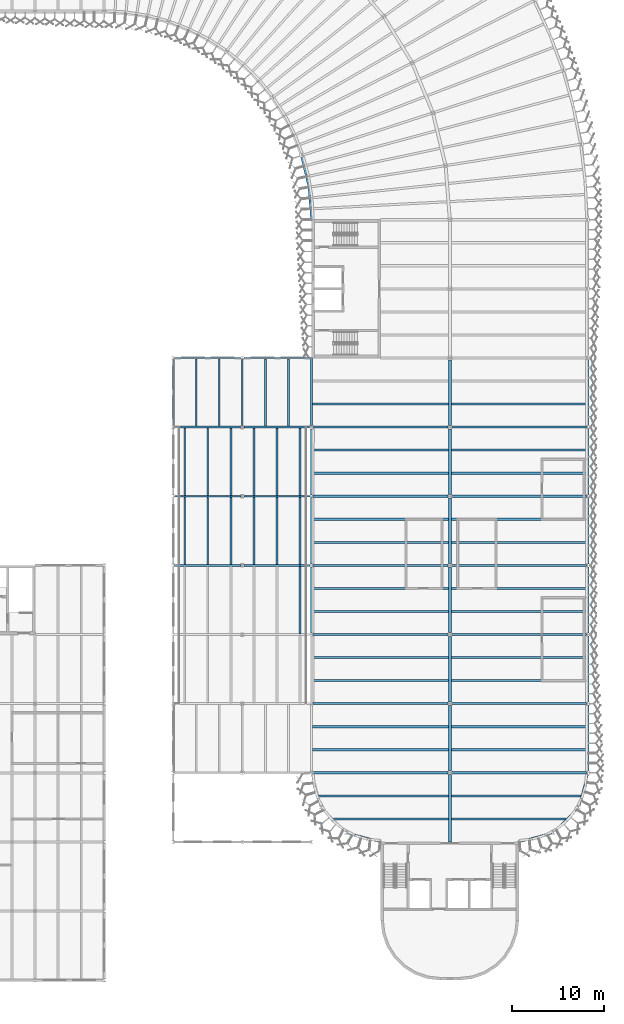
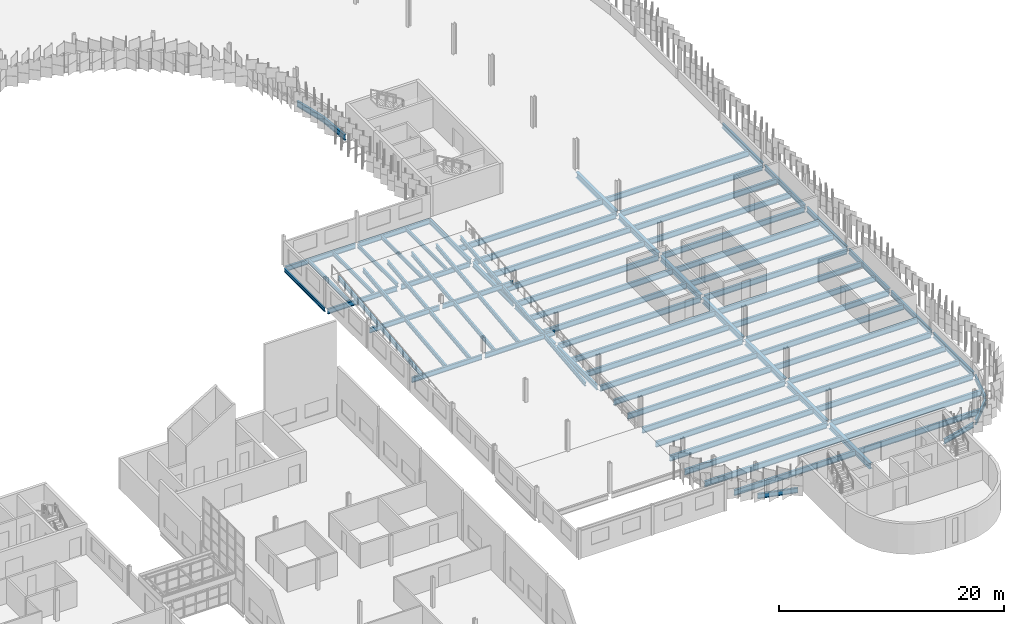
# One storey, part 36 of 198: 88 beams.
"""IFC4 building model written with IfcOpenShell, lengths in metres."""

from ifc_helpers import new_model, si_unit, direction, frame, origin, origin_2d, place, context, subcontext, project, spatial, i_section, extrude, material, material_profile, profile_set, type_object, element, save


model = new_model("IFC4")

# Units and contexts
model_context = context("Model", 3, precision=1e-05, world=origin(), true_north=direction((0.0, 1.0)))
body_context = subcontext(model_context, "Body", "Model", "MODEL_VIEW")
ifc_project = project(units=[si_unit("LENGTHUNIT", "METRE"), si_unit("AREAUNIT", "SQUARE_METRE"), si_unit("VOLUMEUNIT", "CUBIC_METRE"), si_unit("PLANEANGLEUNIT", "RADIAN"), si_unit("MASSUNIT", "GRAM", prefix="KILO")], contexts=[model_context])

# Site, building, storey
site_placement = place(None, origin())
site = spatial("IfcSite", under=ifc_project, at=site_placement, CompositionType="ELEMENT")
building_placement = place(site_placement, origin())
building = spatial("IfcBuilding", under=site, at=building_placement, Name="Parallax Yard Mobility Hub", CompositionType="ELEMENT")
storey_placement = place(building_placement, frame((0.0, 0.0, 6.60009765625)))
storey = spatial("IfcBuildingStorey", under=building, at=storey_placement, Name="L02", CompositionType="ELEMENT", Elevation=6.60009765625)

# Beams
ifc_material = material(Name="Steel ASTM A992", Category="steel")
ifc_material_profile_1 = material_profile(ifc_material, i_section(OverallWidth=0.177978515625, OverallDepth=0.406005859375, WebThickness=0.0078125, FlangeThickness=0.0126953125, FilletRadius=0.01025390625, at=origin_2d()), Name="W410x60")
ifc_profile_set_1 = profile_set([ifc_material_profile_1], Name="Steel ASTM A992")
beam_type_1 = type_object("IfcBeamType", Name="W410x60 edge beam", PredefinedType="SPANDREL", material=ifc_profile_set_1)
beam_1_placement = place(storey_placement, frame((180.0, 67.653564453125, -0.343017578125), z_axis=(0.0, 1.0, 0.0), x_axis=(-1.0, 0.0, 0.0)))
element("IfcBeam", 1, at=beam_1_placement, inside=storey, type_object=beam_type_1, Name="Edge beam SB1 level L02, line 25 of ramp house, span 2", PredefinedType="SPANDREL", context=body_context, shape_type="SweptSolid", body=[
    extrude(i_section(OverallWidth=0.177978515625, OverallDepth=0.406005859375, WebThickness=0.0078125, FlangeThickness=0.0126953125, FilletRadius=0.01025390625, at=origin_2d()), origin(), (0.0, 0.0, 1.0), 7.19287109375),
])
ifc_material_profile_2 = material_profile(ifc_material, i_section(OverallWidth=0.177978515625, OverallDepth=0.406005859375, WebThickness=0.0078125, FlangeThickness=0.0126953125, FilletRadius=0.01025390625, at=origin_2d()), Name="W410x60")
ifc_profile_set_2 = profile_set([ifc_material_profile_2], Name="Steel ASTM A992")
beam_type_2 = type_object("IfcBeamType", Name="W410x60 longitudinal beam", PredefinedType="BEAM", material=ifc_profile_set_2)
beam_2_placement = place(storey_placement, frame((187.5, 67.6865234375, -0.343017578125), z_axis=(0.0, 1.0, 0.0), x_axis=(-1.0, 0.0, 0.0)))
element("IfcBeam", 2, at=beam_2_placement, inside=storey, type_object=beam_type_2, Name="Longitudinal beam SB2 level L02, line 26 of ramp house, span 2", PredefinedType="BEAM", context=body_context, shape_type="SweptSolid", body=[
    extrude(i_section(OverallWidth=0.177978515625, OverallDepth=0.406005859375, WebThickness=0.0078125, FlangeThickness=0.0126953125, FilletRadius=0.01025390625, at=origin_2d()), origin(), (0.0, 0.0, 1.0), 7.159912109375),
])
ifc_material_profile_3 = material_profile(ifc_material, i_section(OverallWidth=0.177978515625, OverallDepth=0.406005859375, WebThickness=0.0078125, FlangeThickness=0.0126953125, FilletRadius=0.01025390625, at=origin_2d()), Name="W410x60")
ifc_profile_set_3 = profile_set([ifc_material_profile_3], Name="Steel ASTM A992")
beam_type_3 = type_object("IfcBeamType", Name="W410x60 secondary beam", PredefinedType="JOIST", material=ifc_profile_set_3)
for number, where, z_axis, x_axis, name in (
    (3, (182.5, 67.6044921875, -0.343017578125), (0.0, 1.0, 0.0), (-1.0, 0.0, 0.0), "Secondary beam B1 level L02, 2.5 m east of line 25 of ramp house, span 2"),
    (4, (190.0, 67.6044921875, -0.343017578125), (0.0, 1.0, 0.0), (-1.0, 0.0, 0.0), "Secondary beam B1 level L02, 2.5 m east of line 26 of ramp house, span 2"),
    (5, (185.0, 67.6044921875, -0.343017578125), (0.0, 1.0, 0.0), (-1.0, 0.0, 0.0), "Secondary beam B1 level L02, 5 m east of line 25 of ramp house, span 2"),
    (6, (192.5, 67.6044921875, -0.343017578125), (0.0, 1.0, 0.0), (-1.0, 0.0, 0.0), "Secondary beam B1 level L02, 5 m east of line 26 of ramp house, span 2"),
):
    element("IfcBeam", number, at=place(storey_placement, frame(where, z_axis=z_axis, x_axis=x_axis)), inside=storey, type_object=beam_type_3, Name=name, PredefinedType="JOIST", context=body_context, shape_type="SweptSolid", body=[
        extrude(i_section(OverallWidth=0.177978515625, OverallDepth=0.406005859375, WebThickness=0.0078125, FlangeThickness=0.0126953125, FilletRadius=0.01025390625, at=origin_2d()), origin(), (0.0, 0.0, 1.0), 7.291015625),
    ])
ifc_material_profile_4 = material_profile(ifc_material, i_section(OverallWidth=0.19091796875, OverallDepth=0.45703125, WebThickness=0.009033203125, FlangeThickness=0.014404296875, FilletRadius=0.01025390625, at=origin_2d()), Name="W460x74")
ifc_profile_set_4 = profile_set([ifc_material_profile_4], Name="Steel ASTM A992")
beam_type_4 = type_object("IfcBeamType", Name="W460x74 ramp beam", PredefinedType="JOIST", material=ifc_profile_set_4)
for number, where, z_axis, x_axis, name in (
    (7, (181.25, 52.6044921875, 1.2314453125), (0.0, 0.994004500635, 0.109339163695), (-1.0, 0.0, 0.0), "Ramp beam RJ1 level L02, ramp RP3 of ramp house, span 3"),
    (8, (181.25, 60.1044921875, 2.056396484375), (0.0, 0.994004500635, 0.109339163695), (-1.0, 0.0, 0.0), "Ramp beam RJ1 level L02, ramp RP3 of ramp house, span 4"),
    (9, (183.75, 52.6044921875, 1.2314453125), (0.0, 0.994004500635, 0.109339163695), (-1.0, 0.0, 0.0), "Ramp beam RJ1 level L02, ramp RP3 of ramp house, span 7"),
    (10, (183.75, 60.1044921875, 2.056396484375), (0.0, 0.994004500635, 0.109339163695), (-1.0, 0.0, 0.0), "Ramp beam RJ1 level L02, ramp RP3 of ramp house, span 8"),
    (11, (186.25, 52.6044921875, 1.2314453125), (0.0, 0.994004500635, 0.109339163695), (-1.0, 0.0, 0.0), "Ramp beam RJ1 level L02, ramp RP3 of ramp house, span 11"),
    (12, (186.25, 60.1044921875, 2.056396484375), (0.0, 0.994004500635, 0.109339163695), (-1.0, 0.0, 0.0), "Ramp beam RJ1 level L02, ramp RP3 of ramp house, span 12"),
    (13, (188.75, 52.6044921875, 1.2314453125), (0.0, 0.994004500635, 0.109339163695), (-1.0, 0.0, 0.0), "Ramp beam RJ1 level L02, ramp RP3 of ramp house, span 15"),
    (14, (188.75, 60.1044921875, 2.056396484375), (0.0, 0.994004500635, 0.109339163695), (-1.0, 0.0, 0.0), "Ramp beam RJ1 level L02, ramp RP3 of ramp house, span 16"),
    (15, (191.25, 52.6044921875, 1.2314453125), (0.0, 0.994004500635, 0.109339163695), (-1.0, 0.0, 0.0), "Ramp beam RJ1 level L02, ramp RP3 of ramp house, span 19"),
    (16, (191.25, 60.1044921875, 2.056396484375), (0.0, 0.994004500635, 0.109339163695), (-1.0, 0.0, 0.0), "Ramp beam RJ1 level L02, ramp RP3 of ramp house, span 20"),
    (17, (193.75, 45.1044921875, 0.406494140625), (0.0, 0.994004500635, 0.109339163695), (-1.0, 0.0, 0.0), "Ramp beam RJ1 level L02, ramp RP3 of ramp house, span 22"),
    (18, (193.75, 52.6044921875, 1.2314453125), (0.0, 0.994004500635, 0.109339163695), (-1.0, 0.0, 0.0), "Ramp beam RJ1 level L02, ramp RP3 of ramp house, span 23"),
    (19, (193.75, 60.1044921875, 2.056396484375), (0.0, 0.994004500635, 0.109339163695), (-1.0, 0.0, 0.0), "Ramp beam RJ1 level L02, ramp RP3 of ramp house, span 24"),
):
    element("IfcBeam", number, at=place(storey_placement, frame(where, z_axis=z_axis, x_axis=x_axis)), inside=storey, type_object=beam_type_4, Name=name, PredefinedType="JOIST", context=body_context, shape_type="SweptSolid", body=[
        extrude(i_section(OverallWidth=0.19091796875, OverallDepth=0.45703125, WebThickness=0.009033203125, FlangeThickness=0.014404296875, FilletRadius=0.01025390625, at=origin_2d()), origin(), (0.0, 0.0, 1.0), 7.3349609375),
    ])
ifc_material_profile_5 = material_profile(ifc_material, i_section(OverallWidth=0.208984375, OverallDepth=0.532958984375, WebThickness=0.01025390625, FlangeThickness=0.015625, FilletRadius=0.0126953125, at=origin_2d()), Name="W530x92")
ifc_profile_set_5 = profile_set([ifc_material_profile_5], Name="Steel ASTM A992")
beam_type_5 = type_object("IfcBeamType", Name="W530x92 edge beam", PredefinedType="SPANDREL", material=ifc_profile_set_5)
for number, where, z_axis, x_axis, name in (
    (20, (195.0, 45.152587890625, -0.406494140625), (0.0, 1.0, 0.0), (-1.0, 0.0, 0.0), "Edge beam SB5 level L02, line 27 of ramped parking decks, span 3"),
    (21, (195.0, 52.652587890625, -0.406494140625), (0.0, 1.0, 0.0), (-1.0, 0.0, 0.0), "Edge beam SB5 level L02, line 27 of ramped parking decks, span 4"),
):
    element("IfcBeam", number, at=place(storey_placement, frame(where, z_axis=z_axis, x_axis=x_axis)), inside=storey, type_object=beam_type_5, Name=name, PredefinedType="SPANDREL", context=body_context, shape_type="SweptSolid", body=[
        extrude(i_section(OverallWidth=0.208984375, OverallDepth=0.532958984375, WebThickness=0.01025390625, FlangeThickness=0.015625, FilletRadius=0.0126953125, at=origin_2d()), origin(), (0.0, 0.0, 1.0), 7.19482421875),
    ])
beam_3_placement = place(storey_placement, frame((195.0, 60.152587890625, -0.406494140625), z_axis=(0.0, 1.0, 0.0), x_axis=(-1.0, 0.0, 0.0)))
element("IfcBeam", 22, at=beam_3_placement, inside=storey, type_object=beam_type_5, Name="Edge beam SB5 level L02, line 27 of ramped parking decks, span 5", PredefinedType="SPANDREL", context=body_context, shape_type="SweptSolid", body=[
    extrude(i_section(OverallWidth=0.208984375, OverallDepth=0.532958984375, WebThickness=0.01025390625, FlangeThickness=0.015625, FilletRadius=0.0126953125, at=origin_2d()), origin(), (0.0, 0.0, 1.0), 7.160888671875),
])
beam_4_placement = place(storey_placement, frame((195.0, 67.6865234375, -0.406494140625), z_axis=(0.0, 1.0, 0.0), x_axis=(-1.0, 0.0, 0.0)))
element("IfcBeam", 23, at=beam_4_placement, inside=storey, type_object=beam_type_5, Name="Edge beam SB5 level L02, line 27 of ramped parking decks, span 6", PredefinedType="SPANDREL", context=body_context, shape_type="SweptSolid", body=[
    extrude(i_section(OverallWidth=0.208984375, OverallDepth=0.532958984375, WebThickness=0.01025390625, FlangeThickness=0.015625, FilletRadius=0.0126953125, at=origin_2d()), origin(), (0.0, 0.0, 1.0), 7.3134765625),
])
beam_5_placement = place(storey_placement, frame((225.0, 30.18408203125, -0.406494140625), z_axis=(0.0, 1.0, 0.0), x_axis=(-1.0, 0.0, 0.0)))
element("IfcBeam", 24, at=beam_5_placement, inside=storey, type_object=beam_type_5, Name="Edge beam SB5 level L02, line 31 of ramped parking decks, span 1", PredefinedType="SPANDREL", context=body_context, shape_type="SweptSolid", body=[
    extrude(i_section(OverallWidth=0.208984375, OverallDepth=0.532958984375, WebThickness=0.01025390625, FlangeThickness=0.015625, FilletRadius=0.0126953125, at=origin_2d()), origin(), (0.0, 0.0, 1.0), 7.163330078125),
])
for number, where, z_axis, x_axis, name in (
    (25, (225.0, 37.652587890625, -0.406494140625), (0.0, 1.0, 0.0), (-1.0, 0.0, 0.0), "Edge beam SB5 level L02, line 31 of ramped parking decks, span 2"),
    (26, (225.0, 45.152587890625, -0.406494140625), (0.0, 1.0, 0.0), (-1.0, 0.0, 0.0), "Edge beam SB5 level L02, line 31 of ramped parking decks, span 3"),
    (27, (225.0, 52.652587890625, -0.406494140625), (0.0, 1.0, 0.0), (-1.0, 0.0, 0.0), "Edge beam SB5 level L02, line 31 of ramped parking decks, span 4"),
    (28, (225.0, 60.152587890625, -0.406494140625), (0.0, 1.0, 0.0), (-1.0, 0.0, 0.0), "Edge beam SB5 level L02, line 31 of ramped parking decks, span 5"),
    (29, (225.0, 67.652587890625, -0.406494140625), (0.0, 1.0, 0.0), (-1.0, 0.0, 0.0), "Edge beam SB5 level L02, line 31 of ramped parking decks, span 6"),
):
    element("IfcBeam", number, at=place(storey_placement, frame(where, z_axis=z_axis, x_axis=x_axis)), inside=storey, type_object=beam_type_5, Name=name, PredefinedType="SPANDREL", context=body_context, shape_type="SweptSolid", body=[
        extrude(i_section(OverallWidth=0.208984375, OverallDepth=0.532958984375, WebThickness=0.01025390625, FlangeThickness=0.015625, FilletRadius=0.0126953125, at=origin_2d()), origin(), (0.0, 0.0, 1.0), 7.19482421875),
    ])
for number, where, z_axis, x_axis, name in (
    (30, (198.902587890625, 23.4638671875, -0.406494140625), (0.965929617639, -0.258804895177, 0.0), (0.258804895177, 0.965929617639, 0.0), "Edge beam SB5 level L02, the south end of ramped parking decks, span 3"),
    (31, (217.5, 22.5, -0.406494140625), (0.965929617639, 0.258804895177, 0.0), (-0.258804895177, 0.965929617639, 0.0), "Edge beam SB5 level L02, the south end of ramped parking decks, span 4"),
):
    element("IfcBeam", number, at=place(storey_placement, frame(where, z_axis=z_axis, x_axis=x_axis)), inside=storey, type_object=beam_type_5, Name=name, PredefinedType="SPANDREL", context=body_context, shape_type="SweptSolid", body=[
        extrude(i_section(OverallWidth=0.208984375, OverallDepth=0.532958984375, WebThickness=0.01025390625, FlangeThickness=0.015625, FilletRadius=0.0126953125, at=origin_2d()), origin(), (0.0, 0.0, 1.0), 3.724365234375),
    ])
beam_6_placement = place(storey_placement, frame((221.402587890625, 23.6572265625, -0.406494140625), z_axis=(0.707106781187, 0.707106781187, 0.0), x_axis=(-0.707106781187, 0.707106781187, 0.0)))
element("IfcBeam", 32, at=beam_6_placement, inside=storey, type_object=beam_type_5, Name="Edge beam SB5 level L02, the south end of ramped parking decks, span 5", PredefinedType="SPANDREL", context=body_context, shape_type="SweptSolid", body=[
    extrude(i_section(OverallWidth=0.208984375, OverallDepth=0.532958984375, WebThickness=0.01025390625, FlangeThickness=0.015625, FilletRadius=0.0126953125, at=origin_2d()), origin(), (0.0, 0.0, 1.0), 3.450927734375),
])
beam_7_placement = place(storey_placement, frame((224.036376953125, 26.403564453125, -0.406494140625), z_axis=(0.258810929597, 0.965928000796, 0.0), x_axis=(-0.965928000796, 0.258810929597, 0.0)))
element("IfcBeam", 33, at=beam_7_placement, inside=storey, type_object=beam_type_5, Name="Edge beam SB5 level L02, the south end of ramped parking decks, span 6", PredefinedType="SPANDREL", context=body_context, shape_type="SweptSolid", body=[
    extrude(i_section(OverallWidth=0.208984375, OverallDepth=0.532958984375, WebThickness=0.01025390625, FlangeThickness=0.015625, FilletRadius=0.0126953125, at=origin_2d()), origin(), (0.0, 0.0, 1.0), 3.53271484375),
])
ifc_material_profile_6 = material_profile(ifc_material, i_section(OverallWidth=0.208984375, OverallDepth=0.532958984375, WebThickness=0.01025390625, FlangeThickness=0.015625, FilletRadius=0.0126953125, at=origin_2d()), Name="W530x92")
ifc_profile_set_6 = profile_set([ifc_material_profile_6], Name="Steel ASTM A992")
beam_type_6 = type_object("IfcBeamType", Name="W530x92 girder", PredefinedType="BEAM", material=ifc_profile_set_6)
beam_8_placement = place(storey_placement, frame((180.152587890625, 52.5, 1.171875), z_axis=(1.0, 0.0, 0.0), x_axis=(0.0, 1.0, 0.0)))
element("IfcBeam", 34, at=beam_8_placement, inside=storey, type_object=beam_type_6, Name="Girder G2 level L02, line H of ramp house, span 1", PredefinedType="BEAM", context=body_context, shape_type="SweptSolid", body=[
    extrude(i_section(OverallWidth=0.208984375, OverallDepth=0.532958984375, WebThickness=0.01025390625, FlangeThickness=0.015625, FilletRadius=0.0126953125, at=origin_2d()), origin(), (0.0, 0.0, 1.0), 7.1923828125),
])
beam_9_placement = place(storey_placement, frame((187.655029296875, 52.5, 1.171875), z_axis=(1.0, 0.0, 0.0), x_axis=(0.0, 1.0, 0.0)))
element("IfcBeam", 35, at=beam_9_placement, inside=storey, type_object=beam_type_6, Name="Girder G2 level L02, line H of ramp house, span 2", PredefinedType="BEAM", context=body_context, shape_type="SweptSolid", body=[
    extrude(i_section(OverallWidth=0.208984375, OverallDepth=0.532958984375, WebThickness=0.01025390625, FlangeThickness=0.015625, FilletRadius=0.0126953125, at=origin_2d()), origin(), (0.0, 0.0, 1.0), 7.19140625),
])
beam_10_placement = place(storey_placement, frame((180.152587890625, 60.0, 1.996826171875), z_axis=(1.0, 0.0, 0.0), x_axis=(0.0, 1.0, 0.0)))
element("IfcBeam", 36, at=beam_10_placement, inside=storey, type_object=beam_type_6, Name="Girder G2 level L02, line J of ramp house, span 1", PredefinedType="BEAM", context=body_context, shape_type="SweptSolid", body=[
    extrude(i_section(OverallWidth=0.208984375, OverallDepth=0.532958984375, WebThickness=0.01025390625, FlangeThickness=0.015625, FilletRadius=0.0126953125, at=origin_2d()), origin(), (0.0, 0.0, 1.0), 7.1923828125),
])
beam_11_placement = place(storey_placement, frame((187.655029296875, 60.0, 1.996826171875), z_axis=(1.0, 0.0, 0.0), x_axis=(0.0, 1.0, 0.0)))
element("IfcBeam", 37, at=beam_11_placement, inside=storey, type_object=beam_type_6, Name="Girder G2 level L02, line J of ramp house, span 2", PredefinedType="BEAM", context=body_context, shape_type="SweptSolid", body=[
    extrude(i_section(OverallWidth=0.208984375, OverallDepth=0.532958984375, WebThickness=0.01025390625, FlangeThickness=0.015625, FilletRadius=0.0126953125, at=origin_2d()), origin(), (0.0, 0.0, 1.0), 7.19140625),
])
beam_12_placement = place(storey_placement, frame((180.152587890625, 67.5, -0.47802734375), z_axis=(1.0, 0.0, 0.0), x_axis=(0.0, 1.0, 0.0)))
element("IfcBeam", 38, at=beam_12_placement, inside=storey, type_object=beam_type_6, Name="Girder G2 level L02, line K of ramp house, span 1", PredefinedType="BEAM", context=body_context, shape_type="SweptSolid", body=[
    extrude(i_section(OverallWidth=0.208984375, OverallDepth=0.532958984375, WebThickness=0.01025390625, FlangeThickness=0.015625, FilletRadius=0.0126953125, at=origin_2d()), origin(), (0.0, 0.0, 1.0), 7.160888671875),
])
beam_13_placement = place(storey_placement, frame((187.6865234375, 67.5, -0.47802734375), z_axis=(1.0, 0.0, 0.0), x_axis=(0.0, 1.0, 0.0)))
element("IfcBeam", 39, at=beam_13_placement, inside=storey, type_object=beam_type_6, Name="Girder G2 level L02, line K of ramp house, span 2", PredefinedType="BEAM", context=body_context, shape_type="SweptSolid", body=[
    extrude(i_section(OverallWidth=0.208984375, OverallDepth=0.532958984375, WebThickness=0.01025390625, FlangeThickness=0.015625, FilletRadius=0.0126953125, at=origin_2d()), origin(), (0.0, 0.0, 1.0), 7.126953125),
])
beam_14_placement = place(storey_placement, frame((180.152587890625, 75.0, -0.406494140625), z_axis=(1.0, 0.0, 0.0), x_axis=(0.0, 1.0, 0.0)))
element("IfcBeam", 40, at=beam_14_placement, inside=storey, type_object=beam_type_6, Name="Girder G2 level L02, line L of ramp house, span 1", PredefinedType="BEAM", context=body_context, shape_type="SweptSolid", body=[
    extrude(i_section(OverallWidth=0.208984375, OverallDepth=0.532958984375, WebThickness=0.01025390625, FlangeThickness=0.015625, FilletRadius=0.0126953125, at=origin_2d()), origin(), (0.0, 0.0, 1.0), 7.19482421875),
])
beam_15_placement = place(storey_placement, frame((187.652587890625, 75.0, -0.406494140625), z_axis=(1.0, 0.0, 0.0), x_axis=(0.0, 1.0, 0.0)))
element("IfcBeam", 41, at=beam_15_placement, inside=storey, type_object=beam_type_6, Name="Girder G2 level L02, line L of ramp house, span 2", PredefinedType="BEAM", context=body_context, shape_type="SweptSolid", body=[
    extrude(i_section(OverallWidth=0.208984375, OverallDepth=0.532958984375, WebThickness=0.01025390625, FlangeThickness=0.015625, FilletRadius=0.0126953125, at=origin_2d()), origin(), (0.0, 0.0, 1.0), 7.347412109375),
])
ifc_material_profile_7 = material_profile(ifc_material, i_section(OverallWidth=0.22802734375, OverallDepth=0.60205078125, WebThickness=0.010498046875, FlangeThickness=0.014892578125, FilletRadius=0.0126953125, at=origin_2d()), Name="W610x101")
ifc_profile_set_7 = profile_set([ifc_material_profile_7], Name="Steel ASTM A992")
beam_type_7 = type_object("IfcBeamType", Name="W610x101 secondary beam", PredefinedType="JOIST", material=ifc_profile_set_7)
for number, where, z_axis, x_axis, name in (
    (42, (197.402587890625, 25.0, -0.441162109375), (1.0, 0.0, 0.0), (0.0, 1.0, 0.0), "Secondary beam B3 level L02, 2.5 m north of line D of ramped parking decks, span 1"),
    (43, (210.16259765625, 25.0, -0.441162109375), (1.0, 0.0, 0.0), (0.0, 1.0, 0.0), "Secondary beam B3 level L02, 2.5 m north of line D of ramped parking decks, span 2"),
):
    element("IfcBeam", number, at=place(storey_placement, frame(where, z_axis=z_axis, x_axis=x_axis)), inside=storey, type_object=beam_type_7, Name=name, PredefinedType="JOIST", context=body_context, shape_type="SweptSolid", body=[
        extrude(i_section(OverallWidth=0.22802734375, OverallDepth=0.60205078125, WebThickness=0.010498046875, FlangeThickness=0.014892578125, FilletRadius=0.0126953125, at=origin_2d()), origin(), (0.0, 0.0, 1.0), 12.434814453125),
    ])
for number, where, z_axis, x_axis, name in (
    (44, (195.1044921875, 32.5, -0.441162109375), (1.0, 0.0, 0.0), (0.0, 1.0, 0.0), "Secondary beam B3 level L02, 2.5 m north of line E of ramped parking decks, span 1"),
    (45, (210.16259765625, 32.5, -0.441162109375), (1.0, 0.0, 0.0), (0.0, 1.0, 0.0), "Secondary beam B3 level L02, 2.5 m north of line E of ramped parking decks, span 2"),
    (46, (195.1044921875, 40.0, -0.441162109375), (1.0, 0.0, 0.0), (0.0, 1.0, 0.0), "Secondary beam B3 level L02, 2.5 m north of line F of ramped parking decks, span 1"),
    (47, (210.16259765625, 40.0, -0.441162109375), (1.0, 0.0, 0.0), (0.0, 1.0, 0.0), "Secondary beam B3 level L02, 2.5 m north of line F of ramped parking decks, span 2"),
    (48, (195.1044921875, 47.5, -0.441162109375), (1.0, 0.0, 0.0), (0.0, 1.0, 0.0), "Secondary beam B3 level L02, 2.5 m north of line G of ramped parking decks, span 1"),
    (49, (210.16259765625, 47.5, -0.441162109375), (1.0, 0.0, 0.0), (0.0, 1.0, 0.0), "Secondary beam B3 level L02, 2.5 m north of line G of ramped parking decks, span 2"),
    (50, (195.1044921875, 55.0, -0.441162109375), (1.0, 0.0, 0.0), (0.0, 1.0, 0.0), "Secondary beam B3 level L02, 2.5 m north of line H of ramped parking decks, span 1"),
    (51, (210.16259765625, 55.0, -0.441162109375), (1.0, 0.0, 0.0), (0.0, 1.0, 0.0), "Secondary beam B3 level L02, 2.5 m north of line H of ramped parking decks, span 2"),
    (52, (195.1044921875, 62.5, -0.441162109375), (1.0, 0.0, 0.0), (0.0, 1.0, 0.0), "Secondary beam B3 level L02, 2.5 m north of line J of ramped parking decks, span 1"),
    (53, (210.16259765625, 62.5, -0.441162109375), (1.0, 0.0, 0.0), (0.0, 1.0, 0.0), "Secondary beam B3 level L02, 2.5 m north of line J of ramped parking decks, span 2"),
    (54, (195.1044921875, 70.0, -0.441162109375), (1.0, 0.0, 0.0), (0.0, 1.0, 0.0), "Secondary beam B3 level L02, 2.5 m north of line K of ramped parking decks, span 1"),
    (55, (210.16259765625, 70.0, -0.441162109375), (1.0, 0.0, 0.0), (0.0, 1.0, 0.0), "Secondary beam B3 level L02, 2.5 m north of line K of ramped parking decks, span 2"),
):
    element("IfcBeam", number, at=place(storey_placement, frame(where, z_axis=z_axis, x_axis=x_axis)), inside=storey, type_object=beam_type_7, Name=name, PredefinedType="JOIST", context=body_context, shape_type="SweptSolid", body=[
        extrude(i_section(OverallWidth=0.22802734375, OverallDepth=0.60205078125, WebThickness=0.010498046875, FlangeThickness=0.014892578125, FilletRadius=0.0126953125, at=origin_2d()), origin(), (0.0, 0.0, 1.0), 14.73291015625),
    ])
for number, where, z_axis, x_axis, name in (
    (56, (195.778076171875, 27.5, -0.441162109375), (1.0, 0.0, 0.0), (0.0, 1.0, 0.0), "Secondary beam B3 level L02, 5 m north of line D of ramped parking decks, span 1"),
    (57, (210.16259765625, 27.5, -0.441162109375), (1.0, 0.0, 0.0), (0.0, 1.0, 0.0), "Secondary beam B3 level L02, 5 m north of line D of ramped parking decks, span 2"),
):
    element("IfcBeam", number, at=place(storey_placement, frame(where, z_axis=z_axis, x_axis=x_axis)), inside=storey, type_object=beam_type_7, Name=name, PredefinedType="JOIST", context=body_context, shape_type="SweptSolid", body=[
        extrude(i_section(OverallWidth=0.22802734375, OverallDepth=0.60205078125, WebThickness=0.010498046875, FlangeThickness=0.014892578125, FilletRadius=0.0126953125, at=origin_2d()), origin(), (0.0, 0.0, 1.0), 14.059326171875),
    ])
for number, where, z_axis, x_axis, name in (
    (58, (195.1044921875, 35.0, -0.441162109375), (1.0, 0.0, 0.0), (0.0, 1.0, 0.0), "Secondary beam B3 level L02, 5 m north of line E of ramped parking decks, span 1"),
    (59, (210.16259765625, 35.0, -0.441162109375), (1.0, 0.0, 0.0), (0.0, 1.0, 0.0), "Secondary beam B3 level L02, 5 m north of line E of ramped parking decks, span 2"),
    (60, (195.1044921875, 42.5, -0.441162109375), (1.0, 0.0, 0.0), (0.0, 1.0, 0.0), "Secondary beam B3 level L02, 5 m north of line F of ramped parking decks, span 1"),
    (61, (210.16259765625, 42.5, -0.441162109375), (1.0, 0.0, 0.0), (0.0, 1.0, 0.0), "Secondary beam B3 level L02, 5 m north of line F of ramped parking decks, span 2"),
    (62, (195.1044921875, 50.0, -0.441162109375), (1.0, 0.0, 0.0), (0.0, 1.0, 0.0), "Secondary beam B3 level L02, 5 m north of line G of ramped parking decks, span 1"),
    (63, (210.16259765625, 50.0, -0.441162109375), (1.0, 0.0, 0.0), (0.0, 1.0, 0.0), "Secondary beam B3 level L02, 5 m north of line G of ramped parking decks, span 2"),
    (64, (195.1044921875, 57.5, -0.441162109375), (1.0, 0.0, 0.0), (0.0, 1.0, 0.0), "Secondary beam B3 level L02, 5 m north of line H of ramped parking decks, span 1"),
    (65, (210.16259765625, 57.5, -0.441162109375), (1.0, 0.0, 0.0), (0.0, 1.0, 0.0), "Secondary beam B3 level L02, 5 m north of line H of ramped parking decks, span 2"),
    (66, (195.1044921875, 65.0, -0.441162109375), (1.0, 0.0, 0.0), (0.0, 1.0, 0.0), "Secondary beam B3 level L02, 5 m north of line J of ramped parking decks, span 1"),
    (67, (210.16259765625, 65.0, -0.441162109375), (1.0, 0.0, 0.0), (0.0, 1.0, 0.0), "Secondary beam B3 level L02, 5 m north of line J of ramped parking decks, span 2"),
):
    element("IfcBeam", number, at=place(storey_placement, frame(where, z_axis=z_axis, x_axis=x_axis)), inside=storey, type_object=beam_type_7, Name=name, PredefinedType="JOIST", context=body_context, shape_type="SweptSolid", body=[
        extrude(i_section(OverallWidth=0.22802734375, OverallDepth=0.60205078125, WebThickness=0.010498046875, FlangeThickness=0.014892578125, FilletRadius=0.0126953125, at=origin_2d()), origin(), (0.0, 0.0, 1.0), 14.73291015625),
    ])
ifc_material_profile_8 = material_profile(ifc_material, i_section(OverallWidth=0.22900390625, OverallDepth=0.612060546875, WebThickness=0.011962890625, FlangeThickness=0.01953125, FilletRadius=0.0126953125, at=origin_2d()), Name="W610x125")
ifc_profile_set_8 = profile_set([ifc_material_profile_8], Name="Steel ASTM A992")
beam_type_8 = type_object("IfcBeamType", Name="W610x125 edge beam", PredefinedType="SPANDREL", material=ifc_profile_set_8)
beam_16_placement = place(storey_placement, frame((193.94482421875, 96.7607421875, -0.446044921875), z_axis=(0.23344221083, -0.972370677367, 0.0), x_axis=(0.972370677367, 0.23344221083, 0.0)))
element("IfcBeam", 68, at=beam_16_placement, inside=storey, type_object=beam_type_8, Name="Edge beam SB7 level L02, ring RA of ramped parking decks, span 9", PredefinedType="SPANDREL", context=body_context, shape_type="SweptSolid", body=[
    extrude(i_section(OverallWidth=0.22900390625, OverallDepth=0.612060546875, WebThickness=0.011962890625, FlangeThickness=0.01953125, FilletRadius=0.0126953125, at=origin_2d()), origin(), (0.0, 0.0, 1.0), 3.3330078125),
])
beam_17_placement = place(storey_placement, frame((194.722900390625, 93.519775390625, -0.446044921875), z_axis=(0.078483663652, -0.996915399891, 0.0), x_axis=(0.996915399891, 0.078483663652, 0.0)))
element("IfcBeam", 69, at=beam_17_placement, inside=storey, type_object=beam_type_8, Name="Edge beam SB7 level L02, ring RA of ramped parking decks, span 10", PredefinedType="SPANDREL", context=body_context, shape_type="SweptSolid", body=[
    extrude(i_section(OverallWidth=0.22900390625, OverallDepth=0.612060546875, WebThickness=0.011962890625, FlangeThickness=0.01953125, FilletRadius=0.0126953125, at=origin_2d()), origin(), (0.0, 0.0, 1.0), 3.53076171875),
])
ifc_material_profile_9 = material_profile(ifc_material, i_section(OverallWidth=0.22900390625, OverallDepth=0.612060546875, WebThickness=0.011962890625, FlangeThickness=0.01953125, FilletRadius=0.0126953125, at=origin_2d()), Name="W610x125")
ifc_profile_set_9 = profile_set([ifc_material_profile_9], Name="Steel ASTM A992")
beam_type_9 = type_object("IfcBeamType", Name="W610x125 girder", PredefinedType="BEAM", material=ifc_profile_set_9)
for number, where, z_axis, x_axis, name in (
    (70, (195.177978515625, 30.0, -0.446044921875), (1.0, 0.0, 0.0), (0.0, 1.0, 0.0), "Girder G3 level L02, line E of ramped parking decks, span 1"),
    (71, (210.1904296875, 30.0, -0.446044921875), (1.0, 0.0, 0.0), (0.0, 1.0, 0.0), "Girder G3 level L02, line E of ramped parking decks, span 2"),
):
    element("IfcBeam", number, at=place(storey_placement, frame(where, z_axis=z_axis, x_axis=x_axis)), inside=storey, type_object=beam_type_9, Name=name, PredefinedType="BEAM", context=body_context, shape_type="SweptSolid", body=[
        extrude(i_section(OverallWidth=0.22900390625, OverallDepth=0.612060546875, WebThickness=0.011962890625, FlangeThickness=0.01953125, FilletRadius=0.0126953125, at=origin_2d()), origin(), (0.0, 0.0, 1.0), 14.631591796875),
    ])
for number, where, z_axis, x_axis, name in (
    (72, (195.156005859375, 37.5, -0.446044921875), (1.0, 0.0, 0.0), (0.0, 1.0, 0.0), "Girder G3 level L02, line F of ramped parking decks, span 1"),
    (73, (210.18798828125, 37.5, -0.446044921875), (1.0, 0.0, 0.0), (0.0, 1.0, 0.0), "Girder G3 level L02, line F of ramped parking decks, span 2"),
    (74, (195.156005859375, 45.0, -0.446044921875), (1.0, 0.0, 0.0), (0.0, 1.0, 0.0), "Girder G3 level L02, line G of ramped parking decks, span 1"),
    (75, (210.18798828125, 45.0, -0.446044921875), (1.0, 0.0, 0.0), (0.0, 1.0, 0.0), "Girder G3 level L02, line G of ramped parking decks, span 2"),
    (76, (195.156005859375, 52.5, -0.446044921875), (1.0, 0.0, 0.0), (0.0, 1.0, 0.0), "Girder G3 level L02, line H of ramped parking decks, span 1"),
    (77, (210.18798828125, 52.5, -0.446044921875), (1.0, 0.0, 0.0), (0.0, 1.0, 0.0), "Girder G3 level L02, line H of ramped parking decks, span 2"),
    (78, (195.156005859375, 60.0, -0.446044921875), (1.0, 0.0, 0.0), (0.0, 1.0, 0.0), "Girder G3 level L02, line J of ramped parking decks, span 1"),
    (79, (210.18798828125, 60.0, -0.446044921875), (1.0, 0.0, 0.0), (0.0, 1.0, 0.0), "Girder G3 level L02, line J of ramped parking decks, span 2"),
):
    element("IfcBeam", number, at=place(storey_placement, frame(where, z_axis=z_axis, x_axis=x_axis)), inside=storey, type_object=beam_type_9, Name=name, PredefinedType="BEAM", context=body_context, shape_type="SweptSolid", body=[
        extrude(i_section(OverallWidth=0.22900390625, OverallDepth=0.612060546875, WebThickness=0.011962890625, FlangeThickness=0.01953125, FilletRadius=0.0126953125, at=origin_2d()), origin(), (0.0, 0.0, 1.0), 14.656005859375),
    ])
beam_18_placement = place(storey_placement, frame((195.1865234375, 67.5, -0.446044921875), z_axis=(1.0, 0.0, 0.0), x_axis=(0.0, 1.0, 0.0)))
element("IfcBeam", 80, at=beam_18_placement, inside=storey, type_object=beam_type_9, Name="Girder G3 level L02, line K of ramped parking decks, span 1", PredefinedType="BEAM", context=body_context, shape_type="SweptSolid", body=[
    extrude(i_section(OverallWidth=0.22900390625, OverallDepth=0.612060546875, WebThickness=0.011962890625, FlangeThickness=0.01953125, FilletRadius=0.0126953125, at=origin_2d()), origin(), (0.0, 0.0, 1.0), 14.62548828125),
])
beam_19_placement = place(storey_placement, frame((210.18798828125, 67.5, -0.446044921875), z_axis=(1.0, 0.0, 0.0), x_axis=(0.0, 1.0, 0.0)))
element("IfcBeam", 81, at=beam_19_placement, inside=storey, type_object=beam_type_9, Name="Girder G3 level L02, line K of ramped parking decks, span 2", PredefinedType="BEAM", context=body_context, shape_type="SweptSolid", body=[
    extrude(i_section(OverallWidth=0.22900390625, OverallDepth=0.612060546875, WebThickness=0.011962890625, FlangeThickness=0.01953125, FilletRadius=0.0126953125, at=origin_2d()), origin(), (0.0, 0.0, 1.0), 14.656005859375),
])
ifc_material_profile_10 = material_profile(ifc_material, i_section(OverallWidth=0.324951171875, OverallDepth=0.612060546875, WebThickness=0.0126953125, FlangeThickness=0.01904296875, FilletRadius=0.0126953125, at=origin_2d()), Name="W610x155")
ifc_profile_set_10 = profile_set([ifc_material_profile_10], Name="Steel ASTM A992")
beam_type_10 = type_object("IfcBeamType", Name="W610x155 longitudinal beam", PredefinedType="BEAM", material=ifc_profile_set_10)
beam_20_placement = place(storey_placement, frame((210.0, 22.5, -0.446044921875), z_axis=(0.0, 1.0, 0.0), x_axis=(-1.0, 0.0, 0.0)))
element("IfcBeam", 82, at=beam_20_placement, inside=storey, type_object=beam_type_10, Name="Longitudinal beam SB8 level L02, line 29 of ramped parking decks, span 1", PredefinedType="BEAM", context=body_context, shape_type="SweptSolid", body=[
    extrude(i_section(OverallWidth=0.324951171875, OverallDepth=0.612060546875, WebThickness=0.0126953125, FlangeThickness=0.01904296875, FilletRadius=0.0126953125, at=origin_2d()), origin(), (0.0, 0.0, 1.0), 7.302001953125),
])
beam_21_placement = place(storey_placement, frame((210.0, 30.197998046875, -0.446044921875), z_axis=(0.0, 1.0, 0.0), x_axis=(-1.0, 0.0, 0.0)))
element("IfcBeam", 83, at=beam_21_placement, inside=storey, type_object=beam_type_10, Name="Longitudinal beam SB8 level L02, line 29 of ramped parking decks, span 2", PredefinedType="BEAM", context=body_context, shape_type="SweptSolid", body=[
    extrude(i_section(OverallWidth=0.324951171875, OverallDepth=0.612060546875, WebThickness=0.0126953125, FlangeThickness=0.01904296875, FilletRadius=0.0126953125, at=origin_2d()), origin(), (0.0, 0.0, 1.0), 7.10498046875),
])
for number, where, z_axis, x_axis, name in (
    (84, (210.0, 37.697021484375, -0.446044921875), (0.0, 1.0, 0.0), (-1.0, 0.0, 0.0), "Longitudinal beam SB8 level L02, line 29 of ramped parking decks, span 3"),
    (85, (210.0, 45.197021484375, -0.446044921875), (0.0, 1.0, 0.0), (-1.0, 0.0, 0.0), "Longitudinal beam SB8 level L02, line 29 of ramped parking decks, span 4"),
    (86, (210.0, 52.697021484375, -0.446044921875), (0.0, 1.0, 0.0), (-1.0, 0.0, 0.0), "Longitudinal beam SB8 level L02, line 29 of ramped parking decks, span 5"),
    (87, (210.0, 60.197021484375, -0.446044921875), (0.0, 1.0, 0.0), (-1.0, 0.0, 0.0), "Longitudinal beam SB8 level L02, line 29 of ramped parking decks, span 6"),
):
    element("IfcBeam", number, at=place(storey_placement, frame(where, z_axis=z_axis, x_axis=x_axis)), inside=storey, type_object=beam_type_10, Name=name, PredefinedType="BEAM", context=body_context, shape_type="SweptSolid", body=[
        extrude(i_section(OverallWidth=0.324951171875, OverallDepth=0.612060546875, WebThickness=0.0126953125, FlangeThickness=0.01904296875, FilletRadius=0.0126953125, at=origin_2d()), origin(), (0.0, 0.0, 1.0), 7.10595703125),
    ])
beam_22_placement = place(storey_placement, frame((210.0, 67.697021484375, -0.446044921875), z_axis=(0.0, 1.0, 0.0), x_axis=(-1.0, 0.0, 0.0)))
element("IfcBeam", 88, at=beam_22_placement, inside=storey, type_object=beam_type_10, Name="Longitudinal beam SB8 level L02, line 29 of ramped parking decks, span 7", PredefinedType="BEAM", context=body_context, shape_type="SweptSolid", body=[
    extrude(i_section(OverallWidth=0.324951171875, OverallDepth=0.612060546875, WebThickness=0.0126953125, FlangeThickness=0.01904296875, FilletRadius=0.0126953125, at=origin_2d()), origin(), (0.0, 0.0, 1.0), 7.10498046875),
])

save(model, "model.ifc")
